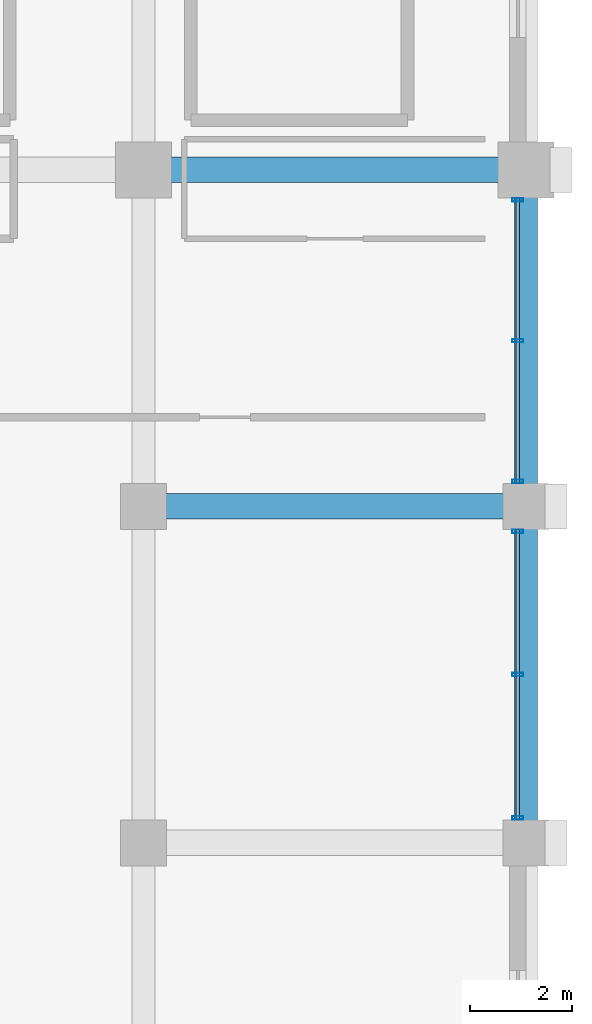
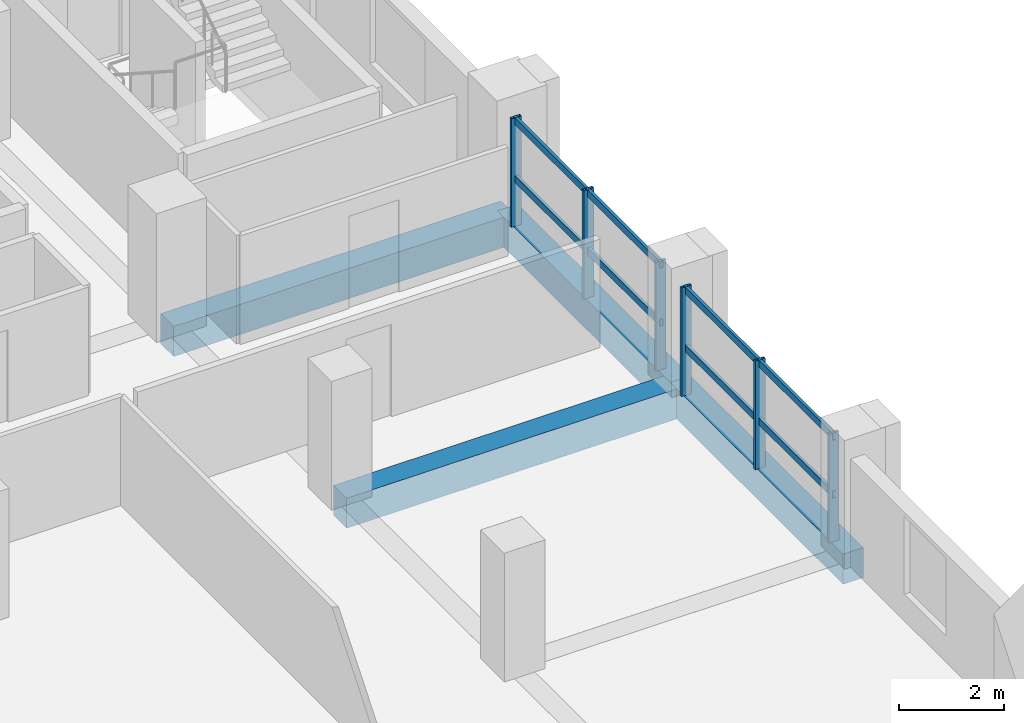
# One storey, part 14 of 22: 10 members, 4 beams, 2 elements without a shape of their own.
"""IFC4 building model written with IfcOpenShell, lengths in metres."""

from ifc_helpers import new_model, si_unit, direction, frame, origin, origin_2d, place, context, subcontext, project, spatial, rectangle, hollow_rectangle, extrude, material, material_profile, profile_set, type_object, element, aggregate, save


model = new_model("IFC4")

# Units and contexts
model_context = context("Model", 3, precision=1e-05, world=origin(), true_north=direction((0.0, 1.0)))
body_context = subcontext(model_context, "Body", "Model", "MODEL_VIEW")
ifc_project = project(units=[si_unit("LENGTHUNIT", "METRE"), si_unit("AREAUNIT", "SQUARE_METRE"), si_unit("VOLUMEUNIT", "CUBIC_METRE"), si_unit("PLANEANGLEUNIT", "RADIAN"), si_unit("MASSUNIT", "GRAM", prefix="KILO")], contexts=[model_context])

# Site, building, storey
site_placement = place(None, origin())
site = spatial("IfcSite", under=ifc_project, at=site_placement, CompositionType="ELEMENT")
building_placement = place(site_placement, origin())
building = spatial("IfcBuilding", under=site, at=building_placement, Name="Akrevak Sports Hall", CompositionType="ELEMENT")
storey_placement = place(building_placement, frame((0.0, 0.0, 30.800048828125)))
storey = spatial("IfcBuildingStorey", under=building, at=storey_placement, Name="L06", CompositionType="ELEMENT", Elevation=30.800048828125)

# Curtain wall, members
ifc_material_1 = material(Name="Anodized Bronze Aluminium & Low-E Glass", Category="aluminium")
curtain_wall_type = type_object("IfcCurtainWallType", Name="ARC-CW-TWR-64x30", PredefinedType="NOTDEFINED", material=ifc_material_1)
curtain_wall_1_placement = place(storey_placement, origin())
curtain_wall_1 = element("IfcCurtainWall", 1, at=curtain_wall_1_placement, inside=storey, type_object=curtain_wall_type, Name="Curtain Wall CW-L06-E15", PredefinedType="NOTDEFINED")
ifc_material_2 = material(Name="Anodized Bronze Aluminium", Category="aluminium")
ifc_material_profile_1 = material_profile(ifc_material_2, hollow_rectangle(XDim=0.06494140625, YDim=0.219970703125, WallThickness=0.00439453125, at=origin_2d()), Name="CWM 65x220", Category="aluminium")
ifc_profile_set_1 = profile_set([ifc_material_profile_1], Name="Anodized Bronze Aluminium")
member_type_1 = type_object("IfcMemberType", Name="ARC-CWM-70x160", PredefinedType="MULLION", material=ifc_profile_set_1)
member_1_placement = place(storey_placement, frame((115.340087890625, 42.489990234375, 0.0), z_axis=(0.0, 0.0, 1.0), x_axis=(0.0, 1.0, 0.0)))
member_1 = element("IfcMember", 2, at=member_1_placement, type_object=member_type_1, Name="Curtain Wall Mullion CW-L06-E15-M1", PredefinedType="MULLION", context=body_context, shape_type="SweptSolid", body=[
    extrude(hollow_rectangle(XDim=0.06494140625, YDim=0.219970703125, WallThickness=0.00439453125, at=origin_2d()), origin(), (0.0, 0.0, 1.0), 2.530029296875),
])
member_2_placement = place(storey_placement, frame((115.340087890625, 45.300048828125, 0.0), z_axis=(0.0, 0.0, 1.0), x_axis=(0.0, 1.0, 0.0)))
member_2 = element("IfcMember", 3, at=member_2_placement, type_object=member_type_1, Name="Curtain Wall Mullion CW-L06-E15-M2", PredefinedType="MULLION", context=body_context, shape_type="SweptSolid", body=[
    extrude(hollow_rectangle(XDim=0.06494140625, YDim=0.219970703125, WallThickness=0.00439453125, at=origin_2d()), origin(), (0.0, 0.0, 1.0), 2.530029296875),
])
member_3_placement = place(storey_placement, frame((115.340087890625, 48.110107421875, 0.0), z_axis=(0.0, 0.0, 1.0), x_axis=(0.0, 1.0, 0.0)))
member_3 = element("IfcMember", 4, at=member_3_placement, type_object=member_type_1, Name="Curtain Wall Mullion CW-L06-E15-M3", PredefinedType="MULLION", context=body_context, shape_type="SweptSolid", body=[
    extrude(hollow_rectangle(XDim=0.06494140625, YDim=0.219970703125, WallThickness=0.00439453125, at=origin_2d()), origin(), (0.0, 0.0, 1.0), 2.530029296875),
])

curtain_wall_2_placement = place(storey_placement, origin())
curtain_wall_2 = element("IfcCurtainWall", 5, at=curtain_wall_2_placement, inside=storey, type_object=curtain_wall_type, Name="Curtain Wall CW-L06-E16", PredefinedType="NOTDEFINED")
member_4_placement = place(storey_placement, frame((115.340087890625, 49.090087890625, 0.0), z_axis=(0.0, 0.0, 1.0), x_axis=(0.0, 1.0, 0.0)))
member_4 = element("IfcMember", 6, at=member_4_placement, type_object=member_type_1, Name="Curtain Wall Mullion CW-L06-E16-M1", PredefinedType="MULLION", context=body_context, shape_type="SweptSolid", body=[
    extrude(hollow_rectangle(XDim=0.06494140625, YDim=0.219970703125, WallThickness=0.00439453125, at=origin_2d()), origin(), (0.0, 0.0, 1.0), 2.530029296875),
])
member_5_placement = place(storey_placement, frame((115.340087890625, 51.85009765625, 0.0), z_axis=(0.0, 0.0, 1.0), x_axis=(0.0, 1.0, 0.0)))
member_5 = element("IfcMember", 7, at=member_5_placement, type_object=member_type_1, Name="Curtain Wall Mullion CW-L06-E16-M2", PredefinedType="MULLION", context=body_context, shape_type="SweptSolid", body=[
    extrude(hollow_rectangle(XDim=0.06494140625, YDim=0.219970703125, WallThickness=0.00439453125, at=origin_2d()), origin(), (0.0, 0.0, 1.0), 2.530029296875),
])
member_6_placement = place(storey_placement, frame((115.340087890625, 54.610107421875, 0.0), z_axis=(0.0, 0.0, 1.0), x_axis=(0.0, 1.0, 0.0)))
member_6 = element("IfcMember", 8, at=member_6_placement, type_object=member_type_1, Name="Curtain Wall Mullion CW-L06-E16-M3", PredefinedType="MULLION", context=body_context, shape_type="SweptSolid", body=[
    extrude(hollow_rectangle(XDim=0.06494140625, YDim=0.219970703125, WallThickness=0.00439453125, at=origin_2d()), origin(), (0.0, 0.0, 1.0), 2.530029296875),
])

# Member
ifc_material_profile_2 = material_profile(ifc_material_2, hollow_rectangle(XDim=0.06494140625, YDim=0.159912109375, WallThickness=0.00390625, at=origin_2d()), Name="CWT 65x160", Category="aluminium")
ifc_profile_set_2 = profile_set([ifc_material_profile_2], Name="Anodized Bronze Aluminium")
member_type_2 = type_object("IfcMemberType", Name="ARC-CWT-70x130", PredefinedType="USERDEFINED", material=ifc_profile_set_2)
member_7_placement = place(storey_placement, frame((115.340087890625, 42.449951171875, 1.099853515625), z_axis=(0.0, 1.0, 0.0), x_axis=(-1.0, 0.0, 0.0)))
member_7 = element("IfcMember", 9, at=member_7_placement, type_object=member_type_2, Name="Curtain Wall Transom CW-L06-E15-T1", ObjectType="TRANSOM", PredefinedType="USERDEFINED", context=body_context, shape_type="SweptSolid", body=[
    extrude(hollow_rectangle(XDim=0.06494140625, YDim=0.159912109375, WallThickness=0.00390625, at=origin_2d()), origin(), (0.0, 0.0, 1.0), 5.699951171875),
])

member_8_placement = place(storey_placement, frame((115.340087890625, 42.449951171875, 2.449951171875), z_axis=(0.0, 1.0, 0.0), x_axis=(-1.0, 0.0, 0.0)))
member_8 = element("IfcMember", 10, at=member_8_placement, type_object=member_type_2, Name="Curtain Wall Transom CW-L06-E15-T2", ObjectType="TRANSOM", PredefinedType="USERDEFINED", context=body_context, shape_type="SweptSolid", body=[
    extrude(hollow_rectangle(XDim=0.06494140625, YDim=0.159912109375, WallThickness=0.00390625, at=origin_2d()), origin(), (0.0, 0.0, 1.0), 5.699951171875),
])

aggregate(curtain_wall_1, [member_1, member_2, member_3, member_7, member_8])

member_9_placement = place(storey_placement, frame((115.340087890625, 49.050048828125, 1.099853515625), z_axis=(0.0, 1.0, 0.0), x_axis=(-1.0, 0.0, 0.0)))
member_9 = element("IfcMember", 11, at=member_9_placement, type_object=member_type_2, Name="Curtain Wall Transom CW-L06-E16-T1", ObjectType="TRANSOM", PredefinedType="USERDEFINED", context=body_context, shape_type="SweptSolid", body=[
    extrude(hollow_rectangle(XDim=0.06494140625, YDim=0.159912109375, WallThickness=0.00390625, at=origin_2d()), origin(), (0.0, 0.0, 1.0), 5.599853515625),
])

member_10_placement = place(storey_placement, frame((115.340087890625, 49.050048828125, 2.449951171875), z_axis=(0.0, 1.0, 0.0), x_axis=(-1.0, 0.0, 0.0)))
member_10 = element("IfcMember", 12, at=member_10_placement, type_object=member_type_2, Name="Curtain Wall Transom CW-L06-E16-T2", ObjectType="TRANSOM", PredefinedType="USERDEFINED", context=body_context, shape_type="SweptSolid", body=[
    extrude(hollow_rectangle(XDim=0.06494140625, YDim=0.159912109375, WallThickness=0.00390625, at=origin_2d()), origin(), (0.0, 0.0, 1.0), 5.599853515625),
])

aggregate(curtain_wall_2, [member_4, member_5, member_6, member_9, member_10])

# Beams
ifc_material_3 = material(Name="Concrete C40/50", Category="concrete")
ifc_material_profile_3 = material_profile(ifc_material_3, rectangle(XDim=0.449951171875, YDim=0.699951171875, at=origin_2d()), Name="BM 450x700", Category="concrete")
ifc_profile_set_3 = profile_set([ifc_material_profile_3], Name="Concrete C40/50")
beam_type_1 = type_object("IfcBeamType", Name="STR-BM-RC450x700", PredefinedType="BEAM", material=ifc_profile_set_3)
beam_1_placement = place(storey_placement, frame((115.5, 42.0, -0.35009765625), z_axis=(0.0, 1.0, 0.0), x_axis=(-1.0, 0.0, 0.0)))
element("IfcBeam", 13, at=beam_1_placement, inside=storey, type_object=beam_type_1, Name="Girder 16/G-H (L06)", PredefinedType="BEAM", context=body_context, shape_type="SweptSolid", body=[
    extrude(rectangle(XDim=0.449951171875, YDim=0.699951171875, at=origin_2d()), origin(), (0.0, 0.0, 1.0), 6.60009765625),
])
beam_2_placement = place(storey_placement, frame((115.5, 48.60009765625, -0.35009765625), z_axis=(0.0, 1.0, 0.0), x_axis=(-1.0, 0.0, 0.0)))
element("IfcBeam", 14, at=beam_2_placement, inside=storey, type_object=beam_type_1, Name="Girder 16/H-I (L06)", PredefinedType="BEAM", context=body_context, shape_type="SweptSolid", body=[
    extrude(rectangle(XDim=0.449951171875, YDim=0.699951171875, at=origin_2d()), origin(), (0.0, 0.0, 1.0), 6.599853515625),
])
ifc_material_profile_4 = material_profile(ifc_material_3, rectangle(XDim=0.5, YDim=0.699951171875, at=origin_2d()), Name="BM 500x700", Category="concrete")
ifc_profile_set_4 = profile_set([ifc_material_profile_4], Name="Concrete C40/50")
beam_type_2 = type_object("IfcBeamType", Name="STR-BM-RC500x700", PredefinedType="BEAM", material=ifc_profile_set_4)
for number, where, z_axis, x_axis, name in (
    (15, (108.0, 48.60009765625, -0.35009765625), (1.0, 0.0, 0.0), (0.0, 1.0, 0.0), "Girder H/15-16 (L06)"),
    (16, (108.0, 55.199951171875, -0.35009765625), (1.0, 0.0, 0.0), (0.0, 1.0, 0.0), "Girder I/15-16 (L06)"),
):
    element("IfcBeam", number, at=place(storey_placement, frame(where, z_axis=z_axis, x_axis=x_axis)), inside=storey, type_object=beam_type_2, Name=name, PredefinedType="BEAM", context=body_context, shape_type="SweptSolid", body=[
        extrude(rectangle(XDim=0.5, YDim=0.699951171875, at=origin_2d()), origin(), (0.0, 0.0, 1.0), 7.5),
    ])

save(model, "model.ifc")
